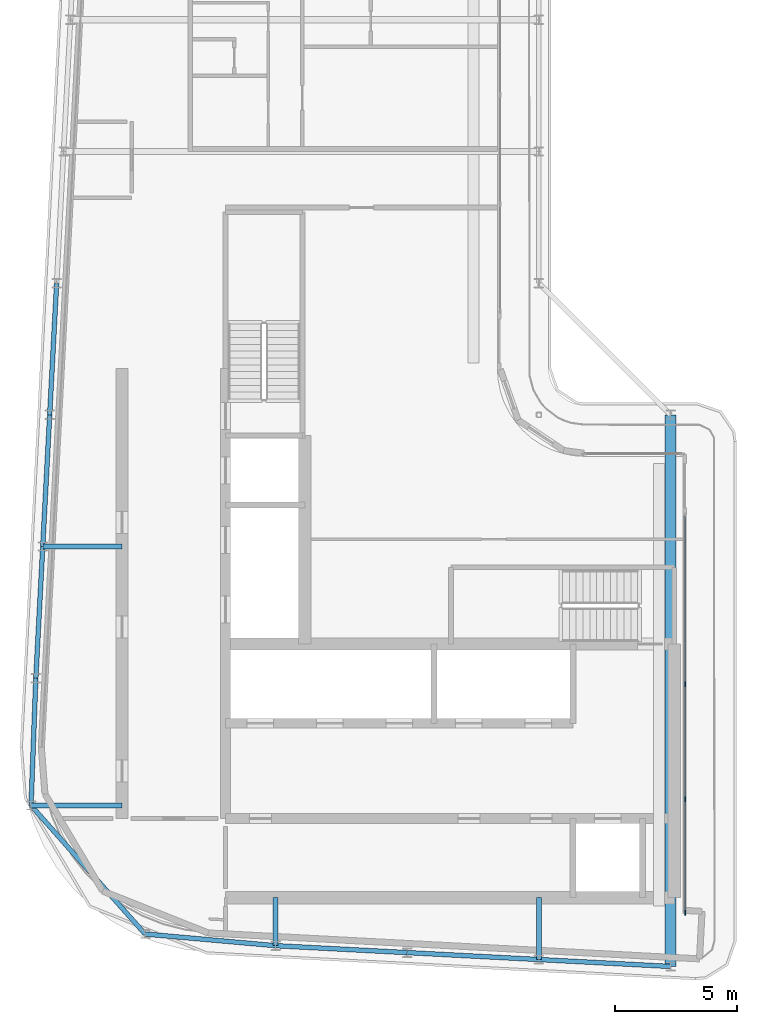
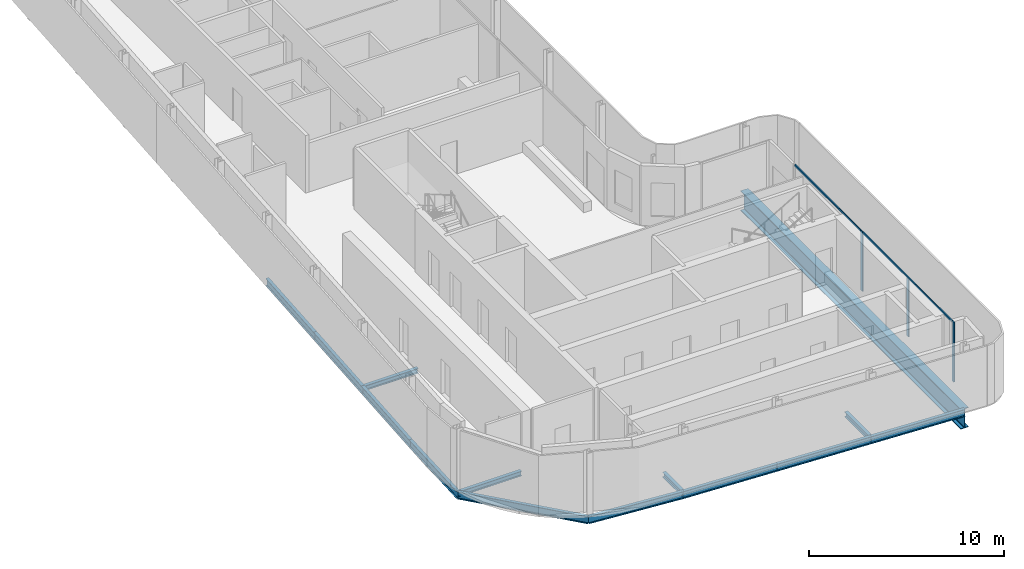
# One storey, part 4 of 19: 14 beams, 5 members, 2 elements without a shape of their own.
"""IFC4 building model written with IfcOpenShell, lengths in metres."""

from ifc_helpers import new_model, si_unit, direction, frame, origin, origin_2d, place, context, subcontext, project, spatial, rectangle, i_section, extrude, material, layer, layer_set, material_profile, profile_set, type_object, element, aggregate, save


model = new_model("IFC4")

# Units and contexts
model_context = context("Model", 3, precision=1e-05, world=origin(), true_north=direction((0.0, 1.0)))
body_context = subcontext(model_context, "Body", "Model", "MODEL_VIEW")
ifc_project = project(units=[si_unit("LENGTHUNIT", "METRE"), si_unit("AREAUNIT", "SQUARE_METRE"), si_unit("VOLUMEUNIT", "CUBIC_METRE"), si_unit("PLANEANGLEUNIT", "RADIAN"), si_unit("MASSUNIT", "GRAM", prefix="KILO")], contexts=[model_context])

# Site, building, storey
site_placement = place(None, origin())
site = spatial("IfcSite", under=ifc_project, at=site_placement, CompositionType="ELEMENT")
building_placement = place(site_placement, origin())
building = spatial("IfcBuilding", under=site, at=building_placement, Name="Kheshtan School and Residences Tower", CompositionType="ELEMENT")
storey_placement = place(building_placement, frame((0.0, 0.0, 350.0)))
storey = spatial("IfcBuildingStorey", under=building, at=storey_placement, Name="L82", CompositionType="ELEMENT", Elevation=350.0)

# Beams
ifc_material_1 = material(Name="Steel ASTM A992 Grade 50", Category="steel")
ifc_material_profile_1 = material_profile(ifc_material_1, i_section(OverallWidth=0.202880859375, OverallDepth=0.302978515625, WebThickness=0.007568359375, FlangeThickness=0.01318359375, FilletRadius=0.009033203125, at=origin_2d()), Name="W310x60")
ifc_profile_set_1 = profile_set([ifc_material_profile_1], Name="Steel ASTM A992 Grade 50")
beam_type_1 = type_object("IfcBeamType", Name="Beam FB1 W310x60 ASTM A992 Grade 50", PredefinedType="BEAM", material=ifc_profile_set_1)
beam_1_placement = place(storey_placement, frame((47.60009765625, 23.263916015625, -0.301513671875), z_axis=(0.0, 1.0, 0.0), x_axis=(-1.0, 0.0, 0.0)))
element("IfcBeam", 1, at=beam_1_placement, inside=storey, type_object=beam_type_1, Name="Floor beam C020", PredefinedType="BEAM", context=body_context, shape_type="SweptSolid", body=[
    extrude(i_section(OverallWidth=0.202880859375, OverallDepth=0.302978515625, WebThickness=0.007568359375, FlangeThickness=0.01318359375, FilletRadius=0.009033203125, at=origin_2d()), origin(), (0.0, 0.0, 1.0), 2.5361328125),
])
beam_2_placement = place(storey_placement, frame((36.800048828125, 23.83203125, -0.301513671875), z_axis=(0.0, 1.0, 0.0), x_axis=(-1.0, 0.0, 0.0)))
element("IfcBeam", 2, at=beam_2_placement, inside=storey, type_object=beam_type_1, Name="Floor beam C022", PredefinedType="BEAM", context=body_context, shape_type="SweptSolid", body=[
    extrude(i_section(OverallWidth=0.202880859375, OverallDepth=0.302978515625, WebThickness=0.007568359375, FlangeThickness=0.01318359375, FilletRadius=0.009033203125, at=origin_2d()), origin(), (0.0, 0.0, 1.0), 1.968017578125),
])
beam_3_placement = place(storey_placement, frame((26.77294921875, 29.5791015625, -0.301513671875), z_axis=(1.0, 0.0, 0.0), x_axis=(0.0, 1.0, 0.0)))
element("IfcBeam", 3, at=beam_3_placement, inside=storey, type_object=beam_type_1, Name="Floor beam C047", PredefinedType="BEAM", context=body_context, shape_type="SweptSolid", body=[
    extrude(i_section(OverallWidth=0.202880859375, OverallDepth=0.302978515625, WebThickness=0.007568359375, FlangeThickness=0.01318359375, FilletRadius=0.009033203125, at=origin_2d()), origin(), (0.0, 0.0, 1.0), 3.72705078125),
])
beam_4_placement = place(storey_placement, frame((27.2529296875, 40.199951171875, -0.301513671875), z_axis=(1.0, 0.0, 0.0), x_axis=(0.0, 1.0, 0.0)))
element("IfcBeam", 4, at=beam_4_placement, inside=storey, type_object=beam_type_1, Name="Floor beam C056", PredefinedType="BEAM", context=body_context, shape_type="SweptSolid", body=[
    extrude(i_section(OverallWidth=0.202880859375, OverallDepth=0.302978515625, WebThickness=0.007568359375, FlangeThickness=0.01318359375, FilletRadius=0.009033203125, at=origin_2d()), origin(), (0.0, 0.0, 1.0), 3.2470703125),
])
ifc_material_profile_2 = material_profile(ifc_material_1, i_section(OverallWidth=0.18994140625, OverallDepth=0.45703125, WebThickness=0.009033203125, FlangeThickness=0.014404296875, FilletRadius=0.01318359375, at=origin_2d()), Name="W460x74")
ifc_profile_set_2 = profile_set([ifc_material_profile_2], Name="Steel ASTM A992 Grade 50")
beam_type_2 = type_object("IfcBeamType", Name="Beam SP4 W460x74 ASTM A992 Grade 50", PredefinedType="BEAM", material=ifc_profile_set_2)
beam_5_placement = place(storey_placement, frame((53.0, 22.97998046875, -0.37841796875), z_axis=(-0.998620447272, 0.05250906864, 0.0), x_axis=(-0.05250906864, -0.998620447272, 0.0)))
element("IfcBeam", 5, at=beam_5_placement, inside=storey, type_object=beam_type_2, Name="Spandrel beam C019-C020", PredefinedType="BEAM", context=body_context, shape_type="SweptSolid", body=[
    extrude(i_section(OverallWidth=0.18994140625, OverallDepth=0.45703125, WebThickness=0.009033203125, FlangeThickness=0.014404296875, FilletRadius=0.01318359375, at=origin_2d()), origin(), (0.0, 0.0, 1.0), 5.407470703125),
])
beam_6_placement = place(storey_placement, frame((47.60009765625, 23.263916015625, -0.37841796875), z_axis=(-0.998618203458, 0.052551724256, 0.0), x_axis=(-0.052551724256, -0.998618203458, 0.0)))
element("IfcBeam", 6, at=beam_6_placement, inside=storey, type_object=beam_type_2, Name="Spandrel beam C020-C021", PredefinedType="BEAM", context=body_context, shape_type="SweptSolid", body=[
    extrude(i_section(OverallWidth=0.18994140625, OverallDepth=0.45703125, WebThickness=0.009033203125, FlangeThickness=0.014404296875, FilletRadius=0.01318359375, at=origin_2d()), origin(), (0.0, 0.0, 1.0), 5.40771484375),
])
beam_7_placement = place(storey_placement, frame((42.199951171875, 23.548095703125, -0.37841796875), z_axis=(-0.998620447272, 0.05250906864, 0.0), x_axis=(-0.05250906864, -0.998620447272, 0.0)))
element("IfcBeam", 7, at=beam_7_placement, inside=storey, type_object=beam_type_2, Name="Spandrel beam C021-C022", PredefinedType="BEAM", context=body_context, shape_type="SweptSolid", body=[
    extrude(i_section(OverallWidth=0.18994140625, OverallDepth=0.45703125, WebThickness=0.009033203125, FlangeThickness=0.014404296875, FilletRadius=0.01318359375, at=origin_2d()), origin(), (0.0, 0.0, 1.0), 5.407470703125),
])
beam_8_placement = place(storey_placement, frame((36.800048828125, 23.83203125, -0.37841796875), z_axis=(-0.996032095544, 0.088994745052, 0.0), x_axis=(-0.088994745052, -0.996032095544, 0.0)))
element("IfcBeam", 8, at=beam_8_placement, inside=storey, type_object=beam_type_2, Name="Spandrel beam C022-C035", PredefinedType="BEAM", context=body_context, shape_type="SweptSolid", body=[
    extrude(i_section(OverallWidth=0.18994140625, OverallDepth=0.45703125, WebThickness=0.009033203125, FlangeThickness=0.014404296875, FilletRadius=0.01318359375, at=origin_2d()), origin(), (0.0, 0.0, 1.0), 5.371337890625),
])
beam_9_placement = place(storey_placement, frame((31.449951171875, 24.31005859375, -0.37841796875), z_axis=(-0.663841018675, 0.747873720574, 0.0), x_axis=(-0.747873720574, -0.663841018675, 0.0)))
element("IfcBeam", 9, at=beam_9_placement, inside=storey, type_object=beam_type_2, Name="Spandrel beam C035-C047", PredefinedType="BEAM", context=body_context, shape_type="SweptSolid", body=[
    extrude(i_section(OverallWidth=0.18994140625, OverallDepth=0.45703125, WebThickness=0.009033203125, FlangeThickness=0.014404296875, FilletRadius=0.01318359375, at=origin_2d()), origin(), (0.0, 0.0, 1.0), 7.04541015625),
])
beam_10_placement = place(storey_placement, frame((26.77294921875, 29.5791015625, -0.37841796875), z_axis=(0.03752324019, 0.999295755242, 0.0), x_axis=(-0.999295755242, 0.03752324019, 0.0)))
element("IfcBeam", 10, at=beam_10_placement, inside=storey, type_object=beam_type_2, Name="Spandrel beam C047-C052", PredefinedType="BEAM", context=body_context, shape_type="SweptSolid", body=[
    extrude(i_section(OverallWidth=0.18994140625, OverallDepth=0.45703125, WebThickness=0.009033203125, FlangeThickness=0.014404296875, FilletRadius=0.01318359375, at=origin_2d()), origin(), (0.0, 0.0, 1.0), 5.224609375),
])
beam_11_placement = place(storey_placement, frame((26.968994140625, 34.800048828125, -0.37841796875), z_axis=(0.05250906864, 0.998620447272, 0.0), x_axis=(-0.998620447272, 0.05250906864, 0.0)))
element("IfcBeam", 11, at=beam_11_placement, inside=storey, type_object=beam_type_2, Name="Spandrel beam C052-C056", PredefinedType="BEAM", context=body_context, shape_type="SweptSolid", body=[
    extrude(i_section(OverallWidth=0.18994140625, OverallDepth=0.45703125, WebThickness=0.009033203125, FlangeThickness=0.014404296875, FilletRadius=0.01318359375, at=origin_2d()), origin(), (0.0, 0.0, 1.0), 5.407470703125),
])
beam_12_placement = place(storey_placement, frame((27.2529296875, 40.199951171875, -0.37841796875), z_axis=(0.052551724256, 0.998618203458, 0.0), x_axis=(-0.998618203458, 0.052551724256, 0.0)))
element("IfcBeam", 12, at=beam_12_placement, inside=storey, type_object=beam_type_2, Name="Spandrel beam C056-C059", PredefinedType="BEAM", context=body_context, shape_type="SweptSolid", body=[
    extrude(i_section(OverallWidth=0.18994140625, OverallDepth=0.45703125, WebThickness=0.009033203125, FlangeThickness=0.014404296875, FilletRadius=0.01318359375, at=origin_2d()), origin(), (0.0, 0.0, 1.0), 5.40771484375),
])
beam_13_placement = place(storey_placement, frame((27.537109375, 45.60009765625, -0.37841796875), z_axis=(0.052689166816, 0.998610961136, 0.0), x_axis=(-0.998610961136, 0.052689166816, 0.0)))
element("IfcBeam", 13, at=beam_13_placement, inside=storey, type_object=beam_type_2, Name="Spandrel beam C059-C078", PredefinedType="BEAM", context=body_context, shape_type="SweptSolid", body=[
    extrude(i_section(OverallWidth=0.18994140625, OverallDepth=0.45703125, WebThickness=0.009033203125, FlangeThickness=0.014404296875, FilletRadius=0.01318359375, at=origin_2d()), origin(), (0.0, 0.0, 1.0), 5.407470703125),
])

# Curtain wall, member
ifc_material_2 = material(Name="Clear low-e glass in thermally broken aluminium frame", Category="aluminium")
ifc_layer = layer(ifc_material_2, 0.199951171875)
ifc_layer_set = layer_set([ifc_layer], Name="Curtain wall CW-L")
curtain_wall_type = type_object("IfcCurtainWallType", Name="Curtain wall CW-L", PredefinedType="NOTDEFINED", material=ifc_layer_set)
curtain_wall_1_placement = place(storey_placement, origin())
curtain_wall_1 = element("IfcCurtainWall", 14, at=curtain_wall_1_placement, inside=storey, type_object=curtain_wall_type, Name="Curtain wall CWL9e", PredefinedType="NOTDEFINED")
ifc_material_3 = material(Name="Thermally broken aluminium, dark bronze anodised", Category="aluminium")
ifc_material_profile_3 = material_profile(ifc_material_3, rectangle(XDim=0.06005859375, YDim=0.199951171875, at=origin_2d()), Name="CW-L mullion 60x200")
ifc_profile_set_3 = profile_set([ifc_material_profile_3], Name="Thermally broken aluminium, dark bronze anodised")
member_type_1 = type_object("IfcMemberType", Name="CW-L mullion 60x200", PredefinedType="MULLION", material=ifc_profile_set_3)
member_1_placement = place(storey_placement, frame((53.60009765625, 34.55810546875, 0.0), z_axis=(0.0, 0.0, 1.0), x_axis=(1.0, 0.0, 0.0)))
member_1 = element("IfcMember", 15, at=member_1_placement, type_object=member_type_1, Name="CWL9e mullion 2", PredefinedType="MULLION", context=body_context, shape_type="SweptSolid", body=[
    extrude(rectangle(XDim=0.06005859375, YDim=0.199951171875, at=origin_2d()), origin(), (0.0, 0.0, 1.0), 3.75),
])

# Curtain wall, members
curtain_wall_2_placement = place(storey_placement, origin())
curtain_wall_2 = element("IfcCurtainWall", 16, at=curtain_wall_2_placement, inside=storey, type_object=curtain_wall_type, Name="Curtain wall CWL9d", PredefinedType="NOTDEFINED")
member_2_placement = place(storey_placement, frame((53.60009765625, 29.842041015625, 0.0), z_axis=(0.0, 0.0, 1.0), x_axis=(1.0, 0.0, 0.0)))
member_2 = element("IfcMember", 17, at=member_2_placement, type_object=member_type_1, Name="CWL9d mullion 2", PredefinedType="MULLION", context=body_context, shape_type="SweptSolid", body=[
    extrude(rectangle(XDim=0.06005859375, YDim=0.199951171875, at=origin_2d()), origin(), (0.0, 0.0, 1.0), 3.6298828125),
])
member_3_placement = place(storey_placement, frame((53.60009765625, 25.18603515625, 0.0), z_axis=(0.0, 0.0, 1.0), x_axis=(1.0, 0.0, 0.0)))
member_3 = element("IfcMember", 18, at=member_3_placement, type_object=member_type_1, Name="CWL9d mullion 3", PredefinedType="MULLION", context=body_context, shape_type="SweptSolid", body=[
    extrude(rectangle(XDim=0.06005859375, YDim=0.199951171875, at=origin_2d()), origin(), (0.0, 0.0, 1.0), 3.75),
])

# Member
ifc_material_profile_4 = material_profile(ifc_material_3, rectangle(XDim=0.06005859375, YDim=0.1201171875, at=origin_2d()), Name="CW-L transom 60x120")
ifc_profile_set_4 = profile_set([ifc_material_profile_4], Name="Thermally broken aluminium, dark bronze anodised")
member_type_2 = type_object("IfcMemberType", Name="CW-L transom 60x120", PredefinedType="USERDEFINED", material=ifc_profile_set_4)
member_4_placement = place(storey_placement, frame((53.60009765625, 41.43994140625, 3.68994140625), z_axis=(0.0, -1.0, 0.0), x_axis=(1.0, 0.0, 0.0)))
member_4 = element("IfcMember", 19, at=member_4_placement, type_object=member_type_2, Name="CWL9e transom 1", ObjectType="TRANSOM", PredefinedType="USERDEFINED", context=body_context, shape_type="SweptSolid", body=[
    extrude(rectangle(XDim=0.06005859375, YDim=0.1201171875, at=origin_2d()), origin(), (0.0, 0.0, 1.0), 6.85205078125),
])

aggregate(curtain_wall_1, [member_1, member_4])

member_5_placement = place(storey_placement, frame((53.60009765625, 34.528076171875, 3.68994140625), z_axis=(0.0, -1.0, 0.0), x_axis=(1.0, 0.0, 0.0)))
member_5 = element("IfcMember", 20, at=member_5_placement, type_object=member_type_2, Name="CWL9d transom 1", ObjectType="TRANSOM", PredefinedType="USERDEFINED", context=body_context, shape_type="SweptSolid", body=[
    extrude(rectangle(XDim=0.06005859375, YDim=0.1201171875, at=origin_2d()), origin(), (0.0, 0.0, 1.0), 9.31201171875),
])

aggregate(curtain_wall_2, [member_2, member_3, member_5])

# Beam
ifc_material_profile_5 = material_profile(ifc_material_1, i_section(OverallWidth=0.449951171875, OverallDepth=1.25, WebThickness=0.02490234375, FlangeThickness=0.044921875, FilletRadius=0.03759765625, at=origin_2d()), Name="WWF1250x546")
ifc_profile_set_5 = profile_set([ifc_material_profile_5], Name="Steel ASTM A992 Grade 50")
beam_type_3 = type_object("IfcBeamType", Name="Transfer girder TG4 WWF1250x546 ASTM A992 Grade 50", PredefinedType="BEAM", material=ifc_profile_set_5)
beam_14_placement = place(storey_placement, frame((53.0, 45.60009765625, -0.77490234375), z_axis=(0.0, -1.0, 0.0), x_axis=(1.0, 0.0, 0.0)))
element("IfcBeam", 21, at=beam_14_placement, inside=storey, type_object=beam_type_3, Name="Transfer girder C061-C019", PredefinedType="BEAM", context=body_context, shape_type="SweptSolid", body=[
    extrude(i_section(OverallWidth=0.449951171875, OverallDepth=1.25, WebThickness=0.02490234375, FlangeThickness=0.044921875, FilletRadius=0.03759765625, at=origin_2d()), origin(), (0.0, 0.0, 1.0), 22.6201171875),
])

save(model, "model.ifc")
